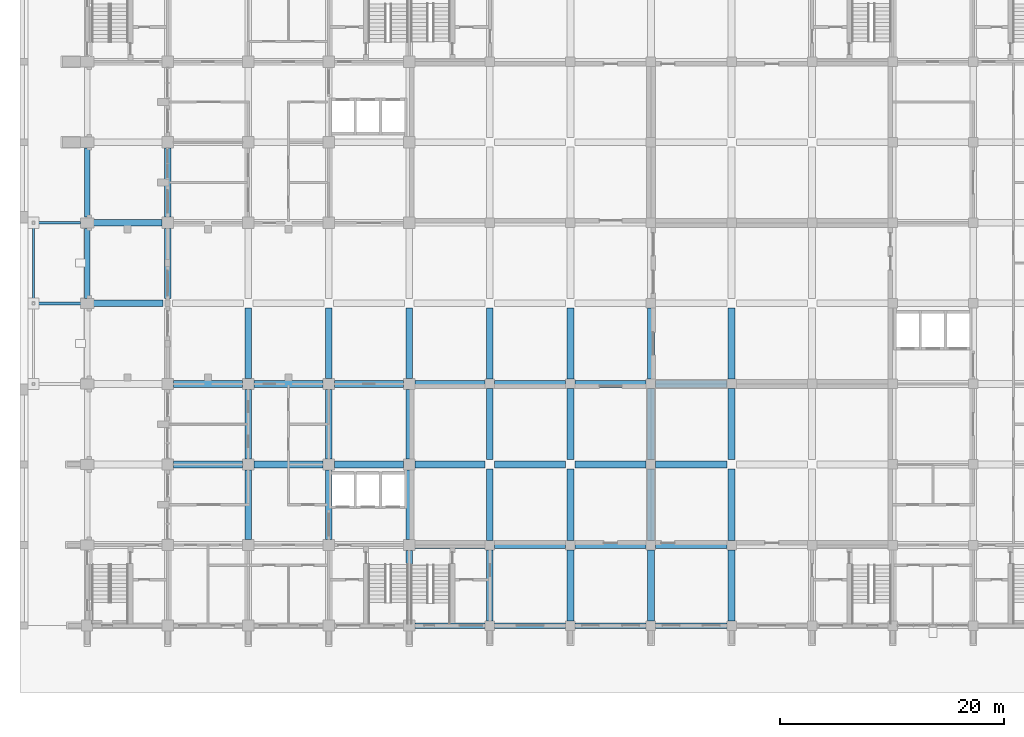
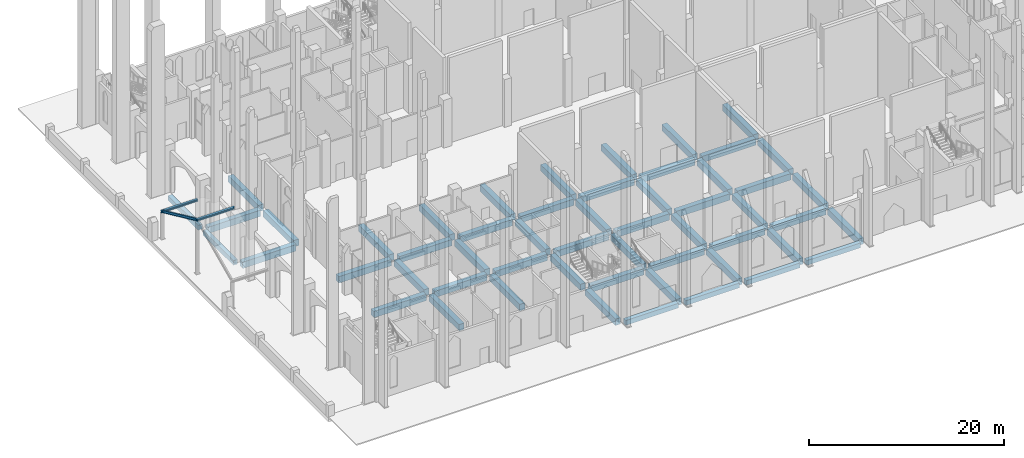
# One storey, part 9 of 50: 56 beams, 1 member.
"""IFC4 building model written with IfcOpenShell, lengths in metres."""

from ifc_helpers import new_model, si_unit, direction, frame, origin, origin_2d, place, context, subcontext, project, spatial, rectangle, i_section, extrude, material, material_profile, profile_set, type_object, element, save


model = new_model("IFC4")

# Units and contexts
model_context = context("Model", 3, precision=1e-05, world=origin(), true_north=direction((0.0, 1.0)))
body_context = subcontext(model_context, "Body", "Model", "MODEL_VIEW")
ifc_project = project(units=[si_unit("LENGTHUNIT", "METRE"), si_unit("AREAUNIT", "SQUARE_METRE"), si_unit("VOLUMEUNIT", "CUBIC_METRE"), si_unit("PLANEANGLEUNIT", "RADIAN"), si_unit("MASSUNIT", "GRAM", prefix="KILO")], contexts=[model_context])

# Site, building, storey
site_placement = place(None, origin())
site = spatial("IfcSite", under=ifc_project, at=site_placement, CompositionType="ELEMENT")
building_placement = place(site_placement, origin())
building = spatial("IfcBuilding", under=site, at=building_placement, Name="Silangan Lancet Faculty of Sciences", CompositionType="ELEMENT")
storey_placement = place(building_placement, origin())
storey = spatial("IfcBuildingStorey", under=building, at=storey_placement, Name="L00", CompositionType="ELEMENT", Elevation=0.0)

# Beams
ifc_material_1 = material(Name="Concrete C40/50", Category="concrete")
ifc_material_profile_1 = material_profile(ifc_material_1, rectangle(XDim=0.5, YDim=0.60009765625, at=origin_2d()), Name="RC 500x600")
ifc_profile_set_1 = profile_set([ifc_material_profile_1], Name="Concrete C40/50")
beam_type_1 = type_object("IfcBeamType", Name="BEAM RC 500x600", PredefinedType="BEAM", material=ifc_profile_set_1)
beam_1_placement = place(storey_placement, frame((29.300048828125, 0.0, -0.60009765625), z_axis=(1.0, 0.0, 0.0), x_axis=(0.0, 1.0, 0.0)))
element("IfcBeam", 1, at=beam_1_placement, inside=storey, type_object=beam_type_1, Name="BM-L00-5A-6A", PredefinedType="BEAM", context=body_context, shape_type="SweptSolid", body=[
    extrude(rectangle(XDim=0.5, YDim=0.60009765625, at=origin_2d()), origin(), (0.0, 0.0, 1.0), 6.27490234375),
])
beam_2_placement = place(storey_placement, frame((36.425048828125, 0.0, -0.60009765625), z_axis=(1.0, 0.0, 0.0), x_axis=(0.0, 1.0, 0.0)))
element("IfcBeam", 2, at=beam_2_placement, inside=storey, type_object=beam_type_1, Name="BM-L00-6A-7A", PredefinedType="BEAM", context=body_context, shape_type="SweptSolid", body=[
    extrude(rectangle(XDim=0.5, YDim=0.60009765625, at=origin_2d()), origin(), (0.0, 0.0, 1.0), 6.349853515625),
])
for number, where, z_axis, x_axis, name in (
    (3, (43.625, 0.0, -0.60009765625), (1.0, 0.0, 0.0), (0.0, 1.0, 0.0), "BM-L00-7A-8A"),
    (4, (50.824951171875, 0.0, -0.60009765625), (1.0, 0.0, 0.0), (0.0, 1.0, 0.0), "BM-L00-8A-9A"),
):
    element("IfcBeam", number, at=place(storey_placement, frame(where, z_axis=z_axis, x_axis=x_axis)), inside=storey, type_object=beam_type_1, Name=name, PredefinedType="BEAM", context=body_context, shape_type="SweptSolid", body=[
        extrude(rectangle(XDim=0.5, YDim=0.60009765625, at=origin_2d()), origin(), (0.0, 0.0, 1.0), 6.35009765625),
    ])
beam_3_placement = place(storey_placement, frame((0.0, 29.22509765625, -0.60009765625), z_axis=(0.0, 1.0, 0.0), x_axis=(-1.0, 0.0, 0.0)))
element("IfcBeam", 5, at=beam_3_placement, inside=storey, type_object=beam_type_1, Name="BM-L00-1E-1F", PredefinedType="BEAM", context=body_context, shape_type="SweptSolid", body=[
    extrude(rectangle(XDim=0.5, YDim=0.60009765625, at=origin_2d()), origin(), (0.0, 0.0, 1.0), 6.27490234375),
])
beam_4_placement = place(storey_placement, frame((0.0, 36.5, -0.60009765625), z_axis=(0.0, 1.0, 0.0), x_axis=(-1.0, 0.0, 0.0)))
element("IfcBeam", 6, at=beam_4_placement, inside=storey, type_object=beam_type_1, Name="BM-L00-1F-1G", PredefinedType="BEAM", context=body_context, shape_type="SweptSolid", body=[
    extrude(rectangle(XDim=0.5, YDim=0.60009765625, at=origin_2d()), origin(), (0.0, 0.0, 1.0), 6.199951171875),
])
ifc_material_2 = material(Name="Concrete C40/50", Category="concrete")
ifc_material_profile_2 = material_profile(ifc_material_2, rectangle(XDim=0.60009765625, YDim=0.800048828125, at=origin_2d()), Name="RC 600x800")
ifc_profile_set_2 = profile_set([ifc_material_profile_2], Name="Concrete C40/50")
beam_type_2 = type_object("IfcBeamType", Name="BEAM RC 600x800", PredefinedType="BEAM", material=ifc_profile_set_2)
beam_5_placement = place(storey_placement, frame((29.300048828125, 7.199951171875, -0.699951171875), z_axis=(1.0, 0.0, 0.0), x_axis=(0.0, 1.0, 0.0)))
element("IfcBeam", 7, at=beam_5_placement, inside=storey, type_object=beam_type_2, Name="BM-L00-5B-6B", PredefinedType="BEAM", context=body_context, shape_type="SweptSolid", body=[
    extrude(rectangle(XDim=0.60009765625, YDim=0.800048828125, at=origin_2d()), origin(), (0.0, 0.0, 1.0), 6.27490234375),
])
beam_6_placement = place(storey_placement, frame((36.425048828125, 7.199951171875, -0.699951171875), z_axis=(1.0, 0.0, 0.0), x_axis=(0.0, 1.0, 0.0)))
element("IfcBeam", 8, at=beam_6_placement, inside=storey, type_object=beam_type_2, Name="BM-L00-6B-7B", PredefinedType="BEAM", context=body_context, shape_type="SweptSolid", body=[
    extrude(rectangle(XDim=0.60009765625, YDim=0.800048828125, at=origin_2d()), origin(), (0.0, 0.0, 1.0), 6.349853515625),
])
for number, where, z_axis, x_axis, name in (
    (9, (43.625, 7.199951171875, -0.699951171875), (1.0, 0.0, 0.0), (0.0, 1.0, 0.0), "BM-L00-7B-8B"),
    (10, (50.824951171875, 7.199951171875, -0.699951171875), (1.0, 0.0, 0.0), (0.0, 1.0, 0.0), "BM-L00-8B-9B"),
):
    element("IfcBeam", number, at=place(storey_placement, frame(where, z_axis=z_axis, x_axis=x_axis)), inside=storey, type_object=beam_type_2, Name=name, PredefinedType="BEAM", context=body_context, shape_type="SweptSolid", body=[
        extrude(rectangle(XDim=0.60009765625, YDim=0.800048828125, at=origin_2d()), origin(), (0.0, 0.0, 1.0), 6.35009765625),
    ])
beam_7_placement = place(storey_placement, frame((7.699951171875, 14.39990234375, -0.699951171875), z_axis=(1.0, 0.0, 0.0), x_axis=(0.0, 1.0, 0.0)))
element("IfcBeam", 11, at=beam_7_placement, inside=storey, type_object=beam_type_2, Name="BM-L00-2C-3C", PredefinedType="BEAM", context=body_context, shape_type="SweptSolid", body=[
    extrude(rectangle(XDim=0.60009765625, YDim=0.800048828125, at=origin_2d()), origin(), (0.0, 0.0, 1.0), 6.199951171875),
])
beam_8_placement = place(storey_placement, frame((14.89990234375, 14.39990234375, -0.699951171875), z_axis=(1.0, 0.0, 0.0), x_axis=(0.0, 1.0, 0.0)))
element("IfcBeam", 12, at=beam_8_placement, inside=storey, type_object=beam_type_2, Name="BM-L00-3C-4C", PredefinedType="BEAM", context=body_context, shape_type="SweptSolid", body=[
    extrude(rectangle(XDim=0.60009765625, YDim=0.800048828125, at=origin_2d()), origin(), (0.0, 0.0, 1.0), 6.2001953125),
])
beam_9_placement = place(storey_placement, frame((22.10009765625, 14.39990234375, -0.699951171875), z_axis=(1.0, 0.0, 0.0), x_axis=(0.0, 1.0, 0.0)))
element("IfcBeam", 13, at=beam_9_placement, inside=storey, type_object=beam_type_2, Name="BM-L00-4C-5C", PredefinedType="BEAM", context=body_context, shape_type="SweptSolid", body=[
    extrude(rectangle(XDim=0.60009765625, YDim=0.800048828125, at=origin_2d()), origin(), (0.0, 0.0, 1.0), 6.199951171875),
])
beam_10_placement = place(storey_placement, frame((29.300048828125, 14.39990234375, -0.699951171875), z_axis=(1.0, 0.0, 0.0), x_axis=(0.0, 1.0, 0.0)))
element("IfcBeam", 14, at=beam_10_placement, inside=storey, type_object=beam_type_2, Name="BM-L00-5C-6C", PredefinedType="BEAM", context=body_context, shape_type="SweptSolid", body=[
    extrude(rectangle(XDim=0.60009765625, YDim=0.800048828125, at=origin_2d()), origin(), (0.0, 0.0, 1.0), 6.27490234375),
])
beam_11_placement = place(storey_placement, frame((36.425048828125, 14.39990234375, -0.699951171875), z_axis=(1.0, 0.0, 0.0), x_axis=(0.0, 1.0, 0.0)))
element("IfcBeam", 15, at=beam_11_placement, inside=storey, type_object=beam_type_2, Name="BM-L00-6C-7C", PredefinedType="BEAM", context=body_context, shape_type="SweptSolid", body=[
    extrude(rectangle(XDim=0.60009765625, YDim=0.800048828125, at=origin_2d()), origin(), (0.0, 0.0, 1.0), 6.349853515625),
])
for number, where, z_axis, x_axis, name in (
    (16, (43.625, 14.39990234375, -0.699951171875), (1.0, 0.0, 0.0), (0.0, 1.0, 0.0), "BM-L00-7C-8C"),
    (17, (50.824951171875, 14.39990234375, -0.699951171875), (1.0, 0.0, 0.0), (0.0, 1.0, 0.0), "BM-L00-8C-9C"),
):
    element("IfcBeam", number, at=place(storey_placement, frame(where, z_axis=z_axis, x_axis=x_axis)), inside=storey, type_object=beam_type_2, Name=name, PredefinedType="BEAM", context=body_context, shape_type="SweptSolid", body=[
        extrude(rectangle(XDim=0.60009765625, YDim=0.800048828125, at=origin_2d()), origin(), (0.0, 0.0, 1.0), 6.35009765625),
    ])
beam_12_placement = place(storey_placement, frame((7.699951171875, 21.60009765625, -0.699951171875), z_axis=(1.0, 0.0, 0.0), x_axis=(0.0, 1.0, 0.0)))
element("IfcBeam", 18, at=beam_12_placement, inside=storey, type_object=beam_type_2, Name="BM-L00-2D-3D", PredefinedType="BEAM", context=body_context, shape_type="SweptSolid", body=[
    extrude(rectangle(XDim=0.60009765625, YDim=0.800048828125, at=origin_2d()), origin(), (0.0, 0.0, 1.0), 6.199951171875),
])
beam_13_placement = place(storey_placement, frame((14.89990234375, 21.60009765625, -0.699951171875), z_axis=(1.0, 0.0, 0.0), x_axis=(0.0, 1.0, 0.0)))
element("IfcBeam", 19, at=beam_13_placement, inside=storey, type_object=beam_type_2, Name="BM-L00-3D-4D", PredefinedType="BEAM", context=body_context, shape_type="SweptSolid", body=[
    extrude(rectangle(XDim=0.60009765625, YDim=0.800048828125, at=origin_2d()), origin(), (0.0, 0.0, 1.0), 6.2001953125),
])
beam_14_placement = place(storey_placement, frame((22.10009765625, 21.60009765625, -0.699951171875), z_axis=(1.0, 0.0, 0.0), x_axis=(0.0, 1.0, 0.0)))
element("IfcBeam", 20, at=beam_14_placement, inside=storey, type_object=beam_type_2, Name="BM-L00-4D-5D", PredefinedType="BEAM", context=body_context, shape_type="SweptSolid", body=[
    extrude(rectangle(XDim=0.60009765625, YDim=0.800048828125, at=origin_2d()), origin(), (0.0, 0.0, 1.0), 6.199951171875),
])
beam_15_placement = place(storey_placement, frame((29.300048828125, 21.60009765625, -0.699951171875), z_axis=(1.0, 0.0, 0.0), x_axis=(0.0, 1.0, 0.0)))
element("IfcBeam", 21, at=beam_15_placement, inside=storey, type_object=beam_type_2, Name="BM-L00-5D-6D", PredefinedType="BEAM", context=body_context, shape_type="SweptSolid", body=[
    extrude(rectangle(XDim=0.60009765625, YDim=0.800048828125, at=origin_2d()), origin(), (0.0, 0.0, 1.0), 6.27490234375),
])
beam_16_placement = place(storey_placement, frame((36.425048828125, 21.60009765625, -0.699951171875), z_axis=(1.0, 0.0, 0.0), x_axis=(0.0, 1.0, 0.0)))
element("IfcBeam", 22, at=beam_16_placement, inside=storey, type_object=beam_type_2, Name="BM-L00-6D-7D", PredefinedType="BEAM", context=body_context, shape_type="SweptSolid", body=[
    extrude(rectangle(XDim=0.60009765625, YDim=0.800048828125, at=origin_2d()), origin(), (0.0, 0.0, 1.0), 6.349853515625),
])
for number, where, z_axis, x_axis, name in (
    (23, (43.625, 21.60009765625, -0.699951171875), (1.0, 0.0, 0.0), (0.0, 1.0, 0.0), "BM-L00-7D-8D"),
    (24, (50.824951171875, 21.60009765625, -0.699951171875), (1.0, 0.0, 0.0), (0.0, 1.0, 0.0), "BM-L00-8D-9D"),
):
    element("IfcBeam", number, at=place(storey_placement, frame(where, z_axis=z_axis, x_axis=x_axis)), inside=storey, type_object=beam_type_2, Name=name, PredefinedType="BEAM", context=body_context, shape_type="SweptSolid", body=[
        extrude(rectangle(XDim=0.60009765625, YDim=0.800048828125, at=origin_2d()), origin(), (0.0, 0.0, 1.0), 6.35009765625),
    ])
beam_17_placement = place(storey_placement, frame((0.425048828125, 28.800048828125, -0.699951171875), z_axis=(1.0, 0.0, 0.0), x_axis=(0.0, 1.0, 0.0)))
element("IfcBeam", 25, at=beam_17_placement, inside=storey, type_object=beam_type_2, Name="BM-L00-1E-2E", PredefinedType="BEAM", context=body_context, shape_type="SweptSolid", body=[
    extrude(rectangle(XDim=0.60009765625, YDim=0.800048828125, at=origin_2d()), origin(), (0.0, 0.0, 1.0), 6.349853515625),
])
beam_18_placement = place(storey_placement, frame((0.5, 36.0, -0.699951171875), z_axis=(1.0, 0.0, 0.0), x_axis=(0.0, 1.0, 0.0)))
element("IfcBeam", 26, at=beam_18_placement, inside=storey, type_object=beam_type_2, Name="BM-L00-1F-2F", PredefinedType="BEAM", context=body_context, shape_type="SweptSolid", body=[
    extrude(rectangle(XDim=0.60009765625, YDim=0.800048828125, at=origin_2d()), origin(), (0.0, 0.0, 1.0), 6.199951171875),
])
beam_19_placement = place(storey_placement, frame((7.199951171875, 29.22509765625, -0.699951171875), z_axis=(0.0, 1.0, 0.0), x_axis=(-1.0, 0.0, 0.0)))
element("IfcBeam", 27, at=beam_19_placement, inside=storey, type_object=beam_type_2, Name="BM-L00-2E-2F", PredefinedType="BEAM", context=body_context, shape_type="SweptSolid", body=[
    extrude(rectangle(XDim=0.60009765625, YDim=0.800048828125, at=origin_2d()), origin(), (0.0, 0.0, 1.0), 6.27490234375),
])
for number, where, z_axis, x_axis, name in (
    (28, (7.199951171875, 36.5, -0.699951171875), (0.0, 1.0, 0.0), (-1.0, 0.0, 0.0), "BM-L00-2F-2G"),
    (29, (14.39990234375, 7.699951171875, -0.699951171875), (0.0, 1.0, 0.0), (-1.0, 0.0, 0.0), "BM-L00-3B-3C"),
):
    element("IfcBeam", number, at=place(storey_placement, frame(where, z_axis=z_axis, x_axis=x_axis)), inside=storey, type_object=beam_type_2, Name=name, PredefinedType="BEAM", context=body_context, shape_type="SweptSolid", body=[
        extrude(rectangle(XDim=0.60009765625, YDim=0.800048828125, at=origin_2d()), origin(), (0.0, 0.0, 1.0), 6.199951171875),
    ])
beam_20_placement = place(storey_placement, frame((14.39990234375, 14.89990234375, -0.699951171875), z_axis=(0.0, 1.0, 0.0), x_axis=(-1.0, 0.0, 0.0)))
element("IfcBeam", 30, at=beam_20_placement, inside=storey, type_object=beam_type_2, Name="BM-L00-3C-3D", PredefinedType="BEAM", context=body_context, shape_type="SweptSolid", body=[
    extrude(rectangle(XDim=0.60009765625, YDim=0.800048828125, at=origin_2d()), origin(), (0.0, 0.0, 1.0), 6.2001953125),
])
beam_21_placement = place(storey_placement, frame((14.39990234375, 22.10009765625, -0.699951171875), z_axis=(0.0, 1.0, 0.0), x_axis=(-1.0, 0.0, 0.0)))
element("IfcBeam", 31, at=beam_21_placement, inside=storey, type_object=beam_type_2, Name="BM-L00-3D-3E", PredefinedType="BEAM", context=body_context, shape_type="SweptSolid", body=[
    extrude(rectangle(XDim=0.60009765625, YDim=0.800048828125, at=origin_2d()), origin(), (0.0, 0.0, 1.0), 6.27490234375),
])
beam_22_placement = place(storey_placement, frame((21.60009765625, 7.699951171875, -0.699951171875), z_axis=(0.0, 1.0, 0.0), x_axis=(-1.0, 0.0, 0.0)))
element("IfcBeam", 32, at=beam_22_placement, inside=storey, type_object=beam_type_2, Name="BM-L00-4B-4C", PredefinedType="BEAM", context=body_context, shape_type="SweptSolid", body=[
    extrude(rectangle(XDim=0.60009765625, YDim=0.800048828125, at=origin_2d()), origin(), (0.0, 0.0, 1.0), 6.199951171875),
])
beam_23_placement = place(storey_placement, frame((21.60009765625, 14.89990234375, -0.699951171875), z_axis=(0.0, 1.0, 0.0), x_axis=(-1.0, 0.0, 0.0)))
element("IfcBeam", 33, at=beam_23_placement, inside=storey, type_object=beam_type_2, Name="BM-L00-4C-4D", PredefinedType="BEAM", context=body_context, shape_type="SweptSolid", body=[
    extrude(rectangle(XDim=0.60009765625, YDim=0.800048828125, at=origin_2d()), origin(), (0.0, 0.0, 1.0), 6.2001953125),
])
beam_24_placement = place(storey_placement, frame((21.60009765625, 22.10009765625, -0.699951171875), z_axis=(0.0, 1.0, 0.0), x_axis=(-1.0, 0.0, 0.0)))
element("IfcBeam", 34, at=beam_24_placement, inside=storey, type_object=beam_type_2, Name="BM-L00-4D-4E", PredefinedType="BEAM", context=body_context, shape_type="SweptSolid", body=[
    extrude(rectangle(XDim=0.60009765625, YDim=0.800048828125, at=origin_2d()), origin(), (0.0, 0.0, 1.0), 6.27490234375),
])
for number, where, z_axis, x_axis, name in (
    (35, (28.800048828125, 0.5, -0.699951171875), (0.0, 1.0, 0.0), (-1.0, 0.0, 0.0), "BM-L00-5A-5B"),
    (36, (28.800048828125, 7.699951171875, -0.699951171875), (0.0, 1.0, 0.0), (-1.0, 0.0, 0.0), "BM-L00-5B-5C"),
):
    element("IfcBeam", number, at=place(storey_placement, frame(where, z_axis=z_axis, x_axis=x_axis)), inside=storey, type_object=beam_type_2, Name=name, PredefinedType="BEAM", context=body_context, shape_type="SweptSolid", body=[
        extrude(rectangle(XDim=0.60009765625, YDim=0.800048828125, at=origin_2d()), origin(), (0.0, 0.0, 1.0), 6.199951171875),
    ])
beam_25_placement = place(storey_placement, frame((28.800048828125, 14.89990234375, -0.699951171875), z_axis=(0.0, 1.0, 0.0), x_axis=(-1.0, 0.0, 0.0)))
element("IfcBeam", 37, at=beam_25_placement, inside=storey, type_object=beam_type_2, Name="BM-L00-5C-5D", PredefinedType="BEAM", context=body_context, shape_type="SweptSolid", body=[
    extrude(rectangle(XDim=0.60009765625, YDim=0.800048828125, at=origin_2d()), origin(), (0.0, 0.0, 1.0), 6.2001953125),
])
beam_26_placement = place(storey_placement, frame((28.800048828125, 22.10009765625, -0.699951171875), z_axis=(0.0, 1.0, 0.0), x_axis=(-1.0, 0.0, 0.0)))
element("IfcBeam", 38, at=beam_26_placement, inside=storey, type_object=beam_type_2, Name="BM-L00-5D-5E", PredefinedType="BEAM", context=body_context, shape_type="SweptSolid", body=[
    extrude(rectangle(XDim=0.60009765625, YDim=0.800048828125, at=origin_2d()), origin(), (0.0, 0.0, 1.0), 6.27490234375),
])
beam_27_placement = place(storey_placement, frame((36.0, 0.425048828125, -0.699951171875), z_axis=(0.0, 1.0, 0.0), x_axis=(-1.0, 0.0, 0.0)))
element("IfcBeam", 39, at=beam_27_placement, inside=storey, type_object=beam_type_2, Name="BM-L00-6A-6B", PredefinedType="BEAM", context=body_context, shape_type="SweptSolid", body=[
    extrude(rectangle(XDim=0.60009765625, YDim=0.800048828125, at=origin_2d()), origin(), (0.0, 0.0, 1.0), 6.349853515625),
])
for number, where, z_axis, x_axis, name in (
    (40, (36.0, 7.625, -0.699951171875), (0.0, 1.0, 0.0), (-1.0, 0.0, 0.0), "BM-L00-6B-6C"),
    (41, (36.0, 14.824951171875, -0.699951171875), (0.0, 1.0, 0.0), (-1.0, 0.0, 0.0), "BM-L00-6C-6D"),
    (42, (36.0, 22.02490234375, -0.699951171875), (0.0, 1.0, 0.0), (-1.0, 0.0, 0.0), "BM-L00-6D-6E"),
):
    element("IfcBeam", number, at=place(storey_placement, frame(where, z_axis=z_axis, x_axis=x_axis)), inside=storey, type_object=beam_type_2, Name=name, PredefinedType="BEAM", context=body_context, shape_type="SweptSolid", body=[
        extrude(rectangle(XDim=0.60009765625, YDim=0.800048828125, at=origin_2d()), origin(), (0.0, 0.0, 1.0), 6.35009765625),
    ])
beam_28_placement = place(storey_placement, frame((43.199951171875, 0.425048828125, -0.699951171875), z_axis=(0.0, 1.0, 0.0), x_axis=(-1.0, 0.0, 0.0)))
element("IfcBeam", 43, at=beam_28_placement, inside=storey, type_object=beam_type_2, Name="BM-L00-7A-7B", PredefinedType="BEAM", context=body_context, shape_type="SweptSolid", body=[
    extrude(rectangle(XDim=0.60009765625, YDim=0.800048828125, at=origin_2d()), origin(), (0.0, 0.0, 1.0), 6.349853515625),
])
for number, where, z_axis, x_axis, name in (
    (44, (43.199951171875, 7.625, -0.699951171875), (0.0, 1.0, 0.0), (-1.0, 0.0, 0.0), "BM-L00-7B-7C"),
    (45, (43.199951171875, 14.824951171875, -0.699951171875), (0.0, 1.0, 0.0), (-1.0, 0.0, 0.0), "BM-L00-7C-7D"),
    (46, (43.199951171875, 22.02490234375, -0.699951171875), (0.0, 1.0, 0.0), (-1.0, 0.0, 0.0), "BM-L00-7D-7E"),
):
    element("IfcBeam", number, at=place(storey_placement, frame(where, z_axis=z_axis, x_axis=x_axis)), inside=storey, type_object=beam_type_2, Name=name, PredefinedType="BEAM", context=body_context, shape_type="SweptSolid", body=[
        extrude(rectangle(XDim=0.60009765625, YDim=0.800048828125, at=origin_2d()), origin(), (0.0, 0.0, 1.0), 6.35009765625),
    ])
beam_29_placement = place(storey_placement, frame((50.39990234375, 0.425048828125, -0.699951171875), z_axis=(0.0, 1.0, 0.0), x_axis=(-1.0, 0.0, 0.0)))
element("IfcBeam", 47, at=beam_29_placement, inside=storey, type_object=beam_type_2, Name="BM-L00-8A-8B", PredefinedType="BEAM", context=body_context, shape_type="SweptSolid", body=[
    extrude(rectangle(XDim=0.60009765625, YDim=0.800048828125, at=origin_2d()), origin(), (0.0, 0.0, 1.0), 6.349853515625),
])
for number, where, z_axis, x_axis, name in (
    (48, (50.39990234375, 7.625, -0.699951171875), (0.0, 1.0, 0.0), (-1.0, 0.0, 0.0), "BM-L00-8B-8C"),
    (49, (50.39990234375, 14.824951171875, -0.699951171875), (0.0, 1.0, 0.0), (-1.0, 0.0, 0.0), "BM-L00-8C-8D"),
    (50, (50.39990234375, 22.02490234375, -0.699951171875), (0.0, 1.0, 0.0), (-1.0, 0.0, 0.0), "BM-L00-8D-8E"),
):
    element("IfcBeam", number, at=place(storey_placement, frame(where, z_axis=z_axis, x_axis=x_axis)), inside=storey, type_object=beam_type_2, Name=name, PredefinedType="BEAM", context=body_context, shape_type="SweptSolid", body=[
        extrude(rectangle(XDim=0.60009765625, YDim=0.800048828125, at=origin_2d()), origin(), (0.0, 0.0, 1.0), 6.35009765625),
    ])
beam_30_placement = place(storey_placement, frame((57.60009765625, 0.425048828125, -0.699951171875), z_axis=(0.0, 1.0, 0.0), x_axis=(-1.0, 0.0, 0.0)))
element("IfcBeam", 51, at=beam_30_placement, inside=storey, type_object=beam_type_2, Name="BM-L00-9A-9B", PredefinedType="BEAM", context=body_context, shape_type="SweptSolid", body=[
    extrude(rectangle(XDim=0.60009765625, YDim=0.800048828125, at=origin_2d()), origin(), (0.0, 0.0, 1.0), 6.349853515625),
])
for number, where, z_axis, x_axis, name in (
    (52, (57.60009765625, 7.625, -0.699951171875), (0.0, 1.0, 0.0), (-1.0, 0.0, 0.0), "BM-L00-9B-9C"),
    (53, (57.60009765625, 14.824951171875, -0.699951171875), (0.0, 1.0, 0.0), (-1.0, 0.0, 0.0), "BM-L00-9C-9D"),
    (54, (57.60009765625, 22.02490234375, -0.699951171875), (0.0, 1.0, 0.0), (-1.0, 0.0, 0.0), "BM-L00-9D-9E"),
):
    element("IfcBeam", number, at=place(storey_placement, frame(where, z_axis=z_axis, x_axis=x_axis)), inside=storey, type_object=beam_type_2, Name=name, PredefinedType="BEAM", context=body_context, shape_type="SweptSolid", body=[
        extrude(rectangle(XDim=0.60009765625, YDim=0.800048828125, at=origin_2d()), origin(), (0.0, 0.0, 1.0), 6.35009765625),
    ])

# Member
ifc_material_3 = material(Name="Steel SS400", Category="steel")
ifc_material_profile_3 = material_profile(ifc_material_3, i_section(OverallWidth=0.14990234375, OverallDepth=0.300048828125, WebThickness=0.006591796875, FlangeThickness=0.009033203125, FilletRadius=0.012939453125, at=origin_2d()), Name="H 300x150x6.5x9")
ifc_profile_set_3 = profile_set([ifc_material_profile_3], Name="Steel SS400")
member_type = type_object("IfcMemberType", Name="Canopy rafter H 300x150x6.5x9", PredefinedType="RAFTER", material=ifc_profile_set_3)
member_placement = place(storey_placement, frame((-4.800048828125, 35.812255859375, 3.478759765625), z_axis=(0.0, -0.908482802225, 0.417922239252), x_axis=(1.0, 0.0, 0.0)))
element("IfcMember", 55, at=member_placement, inside=storey, type_object=member_type, Name="Porch rafter north", PredefinedType="RAFTER", context=body_context, shape_type="SweptSolid", body=[
    extrude(i_section(OverallWidth=0.14990234375, OverallDepth=0.300048828125, WebThickness=0.006591796875, FlangeThickness=0.009033203125, FilletRadius=0.012939453125, at=origin_2d()), origin(), (0.0, 0.0, 1.0), 7.511962890625),
])

# Beams
ifc_material_4 = material(Name="Steel SS400", Category="steel")
ifc_material_profile_4 = material_profile(ifc_material_4, i_section(OverallWidth=0.25, OverallDepth=0.25, WebThickness=0.009033203125, FlangeThickness=0.013916015625, FilletRadius=0.01611328125, at=origin_2d()), Name="H 250x250x9x14")
ifc_profile_set_4 = profile_set([ifc_material_profile_4], Name="Steel SS400")
beam_type_3 = type_object("IfcBeamType", Name="Porch beam H 250x250x9x14", PredefinedType="BEAM", material=ifc_profile_set_4)
beam_31_placement = place(storey_placement, frame((-0.425048828125, 28.800048828125, 6.68701171875), z_axis=(-1.0, 0.0, 0.0), x_axis=(0.0, -1.0, 0.0)))
element("IfcBeam", 56, at=beam_31_placement, inside=storey, type_object=beam_type_3, Name="Porch ridge beam", PredefinedType="BEAM", context=body_context, shape_type="SweptSolid", body=[
    extrude(i_section(OverallWidth=0.25, OverallDepth=0.25, WebThickness=0.009033203125, FlangeThickness=0.013916015625, FilletRadius=0.01611328125, at=origin_2d()), origin(), (0.0, 0.0, 1.0), 4.5),
])
beam_32_placement = place(storey_placement, frame((-0.60009765625, 36.0, 3.375), z_axis=(-1.0, 0.0, 0.0), x_axis=(0.0, -1.0, 0.0)))
element("IfcBeam", 57, at=beam_32_placement, inside=storey, type_object=beam_type_3, Name="Porch eave beam north", PredefinedType="BEAM", context=body_context, shape_type="SweptSolid", body=[
    extrude(i_section(OverallWidth=0.25, OverallDepth=0.25, WebThickness=0.009033203125, FlangeThickness=0.013916015625, FilletRadius=0.01611328125, at=origin_2d()), origin(), (0.0, 0.0, 1.0), 4.324951171875),
])

save(model, "model.ifc")
